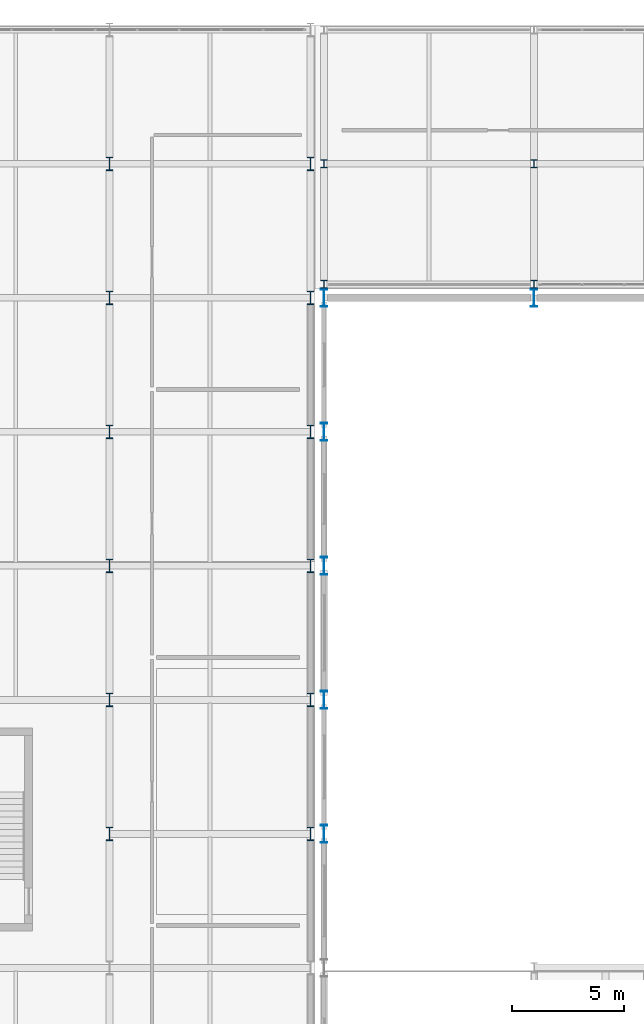
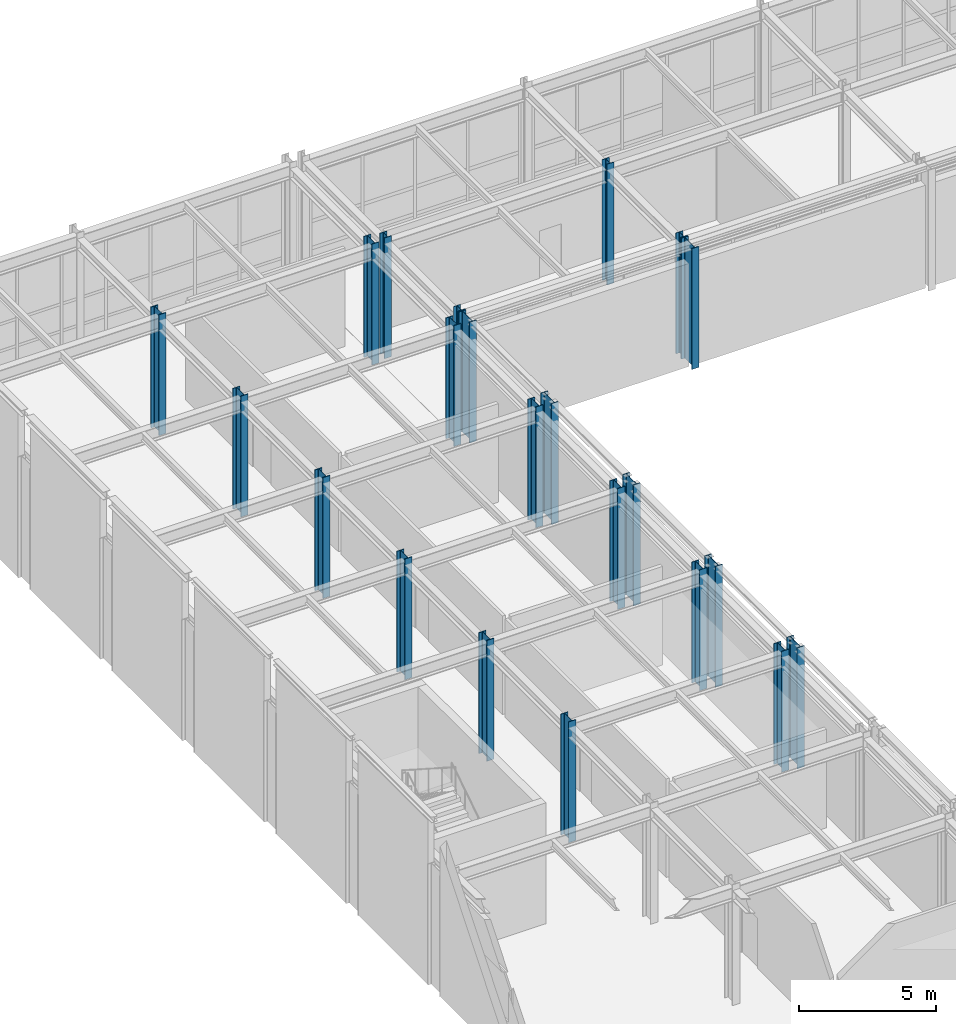
# One storey, part 17 of 210: 22 columns.
"""IFC4 building model written with IfcOpenShell, lengths in metres."""

from ifc_helpers import new_model, si_unit, direction, frame, origin, origin_2d, place, context, subcontext, project, spatial, i_section, extrude, material, material_profile, profile_set, type_object, element, save


model = new_model("IFC4")

# Units and contexts
model_context = context("Model", 3, precision=1e-05, world=origin(), true_north=direction((0.0, 1.0)))
body_context = subcontext(model_context, "Body", "Model", "MODEL_VIEW")
ifc_project = project(units=[si_unit("LENGTHUNIT", "METRE"), si_unit("AREAUNIT", "SQUARE_METRE"), si_unit("VOLUMEUNIT", "CUBIC_METRE"), si_unit("PLANEANGLEUNIT", "RADIAN"), si_unit("MASSUNIT", "GRAM", prefix="KILO")], contexts=[model_context])

# Site, building, storey
site_placement = place(None, origin())
site = spatial("IfcSite", under=ifc_project, at=site_placement, CompositionType="ELEMENT")
building_placement = place(site_placement, origin())
building = spatial("IfcBuilding", under=site, at=building_placement, Name="Kaldris Quays Convention Centre", CompositionType="ELEMENT")
storey_placement = place(building_placement, frame((0.0, 0.0, 6.0)))
storey = spatial("IfcBuildingStorey", under=building, at=storey_placement, Name="L01", CompositionType="ELEMENT", Elevation=6.0)

# Columns
ifc_material = material(Name="Steel S355J2", Category="steel")
ifc_material_profile_1 = material_profile(ifc_material, i_section(OverallWidth=0.300048828125, OverallDepth=0.800048828125, WebThickness=0.017578125, FlangeThickness=0.032958984375, FilletRadius=0.030029296875, at=origin_2d()), Name="HEB 800")
ifc_profile_set_1 = profile_set([ifc_material_profile_1], Name="Steel S355J2")
column_type_1 = type_object("IfcColumnType", Name="STRUCTURAL COLUMN CL04", PredefinedType="COLUMN", material=ifc_profile_set_1)
for number, where, z_axis, x_axis, name in (
    (1, (164.60009765625, 80.0, 0.0), (0.0, 0.0, 1.0), (1.0, 0.0, 0.0), "L01 V2 Column CL04 (164.60, 80.00)"),
    (2, (164.60009765625, 86.0, 0.0), (0.0, 0.0, 1.0), (1.0, 0.0, 0.0), "L01 V2 Column CL04 (164.60, 86.00)"),
    (3, (164.60009765625, 92.0, 0.0), (0.0, 0.0, 1.0), (1.0, 0.0, 0.0), "L01 V2 Column CL04 (164.60, 92.00)"),
    (4, (164.60009765625, 98.0, 0.0), (0.0, 0.0, 1.0), (1.0, 0.0, 0.0), "L01 V2 Column CL04 (164.60, 98.00)"),
    (5, (164.60009765625, 104.0, 0.0), (0.0, 0.0, 1.0), (1.0, 0.0, 0.0), "L01 V2 Column CL04 (164.60, 104.00)"),
    (6, (174.0, 104.0, 0.0), (0.0, 0.0, 1.0), (1.0, 0.0, 0.0), "L01 V2 Column CL04 (174.00, 104.00)"),
):
    element("IfcColumn", number, at=place(storey_placement, frame(where, z_axis=z_axis, x_axis=x_axis)), inside=storey, type_object=column_type_1, Name=name, PredefinedType="COLUMN", context=body_context, shape_type="SweptSolid", body=[
        extrude(i_section(OverallWidth=0.300048828125, OverallDepth=0.800048828125, WebThickness=0.017578125, FlangeThickness=0.032958984375, FilletRadius=0.030029296875, at=origin_2d()), origin(), (0.0, 0.0, 1.0), 5.39990234375),
    ])
ifc_material_profile_2 = material_profile(ifc_material, i_section(OverallWidth=0.300048828125, OverallDepth=0.60009765625, WebThickness=0.015380859375, FlangeThickness=0.030029296875, FilletRadius=0.027099609375, at=origin_2d()), Name="HEB 600")
ifc_profile_set_2 = profile_set([ifc_material_profile_2], Name="Steel S355J2")
column_type_2 = type_object("IfcColumnType", Name="STRUCTURAL COLUMN CL06", PredefinedType="COLUMN", material=ifc_profile_set_2)
for number, where, z_axis, x_axis, name in (
    (7, (155.0, 80.0, 0.0), (0.0, 0.0, 1.0), (1.0, 0.0, 0.0), "L01 V4 Column CL06 (155.00, 80.00)"),
    (8, (155.0, 86.0, 0.0), (0.0, 0.0, 1.0), (1.0, 0.0, 0.0), "L01 V4 Column CL06 (155.00, 86.00)"),
    (9, (155.0, 92.0, 0.0), (0.0, 0.0, 1.0), (1.0, 0.0, 0.0), "L01 V4 Column CL06 (155.00, 92.00)"),
    (10, (155.0, 98.0, 0.0), (0.0, 0.0, 1.0), (1.0, 0.0, 0.0), "L01 V4 Column CL06 (155.00, 98.00)"),
    (11, (155.0, 104.0, 0.0), (0.0, 0.0, 1.0), (1.0, 0.0, 0.0), "L01 V4 Column CL06 (155.00, 104.00)"),
    (12, (155.0, 110.0, 0.0), (0.0, 0.0, 1.0), (1.0, 0.0, 0.0), "L01 V4 Column CL06 (155.00, 110.00)"),
    (13, (164.0, 80.0, 0.0), (0.0, 0.0, 1.0), (1.0, 0.0, 0.0), "L01 V4 Column CL06 (164.00, 80.00)"),
    (14, (164.0, 86.0, 0.0), (0.0, 0.0, 1.0), (1.0, 0.0, 0.0), "L01 V4 Column CL06 (164.00, 86.00)"),
    (15, (164.0, 92.0, 0.0), (0.0, 0.0, 1.0), (1.0, 0.0, 0.0), "L01 V4 Column CL06 (164.00, 92.00)"),
    (16, (164.0, 98.0, 0.0), (0.0, 0.0, 1.0), (1.0, 0.0, 0.0), "L01 V4 Column CL06 (164.00, 98.00)"),
    (17, (164.0, 104.0, 0.0), (0.0, 0.0, 1.0), (1.0, 0.0, 0.0), "L01 V4 Column CL06 (164.00, 104.00)"),
    (18, (164.0, 110.0, 0.0), (0.0, 0.0, 1.0), (1.0, 0.0, 0.0), "L01 V4 Column CL06 (164.00, 110.00)"),
):
    element("IfcColumn", number, at=place(storey_placement, frame(where, z_axis=z_axis, x_axis=x_axis)), inside=storey, type_object=column_type_2, Name=name, PredefinedType="COLUMN", context=body_context, shape_type="SweptSolid", body=[
        extrude(i_section(OverallWidth=0.300048828125, OverallDepth=0.60009765625, WebThickness=0.015380859375, FlangeThickness=0.030029296875, FilletRadius=0.027099609375, at=origin_2d()), origin(), (0.0, 0.0, 1.0), 5.39990234375),
    ])
ifc_material_profile_3 = material_profile(ifc_material, i_section(OverallWidth=0.300048828125, OverallDepth=0.360107421875, WebThickness=0.012451171875, FlangeThickness=0.0224609375, FilletRadius=0.027099609375, at=origin_2d()), Name="HEB 360")
ifc_profile_set_3 = profile_set([ifc_material_profile_3], Name="Steel S355J2")
column_type_3 = type_object("IfcColumnType", Name="STRUCTURAL COLUMN CL10", PredefinedType="COLUMN", material=ifc_profile_set_3)
for number, where, z_axis, x_axis, name in (
    (19, (164.60009765625, 104.60009765625, 0.0), (0.0, 0.0, 1.0), (1.0, 0.0, 0.0), "L01 V4 Column CL10 (164.60, 104.60)"),
    (20, (164.60009765625, 110.0, 0.0), (0.0, 0.0, 1.0), (1.0, 0.0, 0.0), "L01 V4 Column CL10 (164.60, 110.00)"),
    (21, (174.0, 104.60009765625, 0.0), (0.0, 0.0, 1.0), (1.0, 0.0, 0.0), "L01 V4 Column CL10 (174.00, 104.60)"),
    (22, (174.0, 110.0, 0.0), (0.0, 0.0, 1.0), (1.0, 0.0, 0.0), "L01 V4 Column CL10 (174.00, 110.00)"),
):
    element("IfcColumn", number, at=place(storey_placement, frame(where, z_axis=z_axis, x_axis=x_axis)), inside=storey, type_object=column_type_3, Name=name, PredefinedType="COLUMN", context=body_context, shape_type="SweptSolid", body=[
        extrude(i_section(OverallWidth=0.300048828125, OverallDepth=0.360107421875, WebThickness=0.012451171875, FlangeThickness=0.0224609375, FilletRadius=0.027099609375, at=origin_2d()), origin(), (0.0, 0.0, 1.0), 5.39990234375),
    ])

save(model, "model.ifc")
